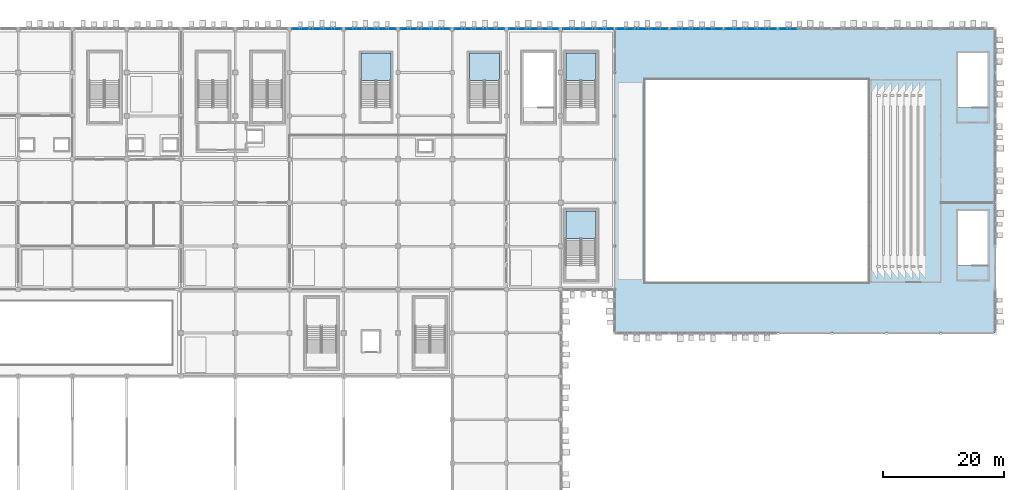
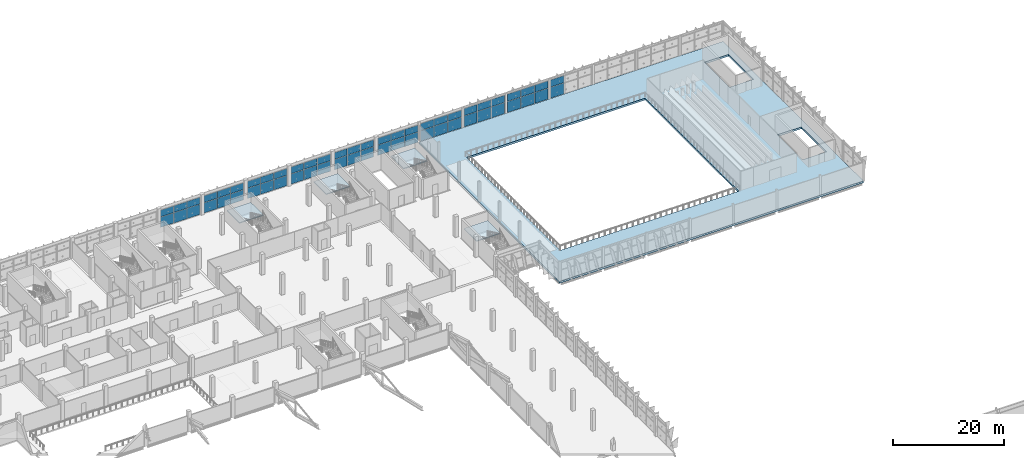
# One storey, part 92 of 151: 56 plates, 5 slabs, 14 elements without a shape of their own.
"""IFC4 building model written with IfcOpenShell, lengths in metres."""

from ifc_helpers import new_model, si_unit, direction, frame, origin, origin_2d, place, context, subcontext, project, spatial, polyline, rectangle, outline, extrude, material, layer, layer_set, type_object, element, aggregate, save


model = new_model("IFC4")

# Units and contexts
model_context = context("Model", 3, precision=1e-05, world=origin(), true_north=direction((0.0, 1.0)))
body_context = subcontext(model_context, "Body", "Model", "MODEL_VIEW")
ifc_project = project(units=[si_unit("LENGTHUNIT", "METRE"), si_unit("AREAUNIT", "SQUARE_METRE"), si_unit("VOLUMEUNIT", "CUBIC_METRE"), si_unit("PLANEANGLEUNIT", "RADIAN"), si_unit("MASSUNIT", "GRAM", prefix="KILO")], contexts=[model_context])

# Site, building, storey
site_placement = place(None, origin())
site = spatial("IfcSite", under=ifc_project, at=site_placement, CompositionType="ELEMENT")
building_placement = place(site_placement, origin())
building = spatial("IfcBuilding", under=site, at=building_placement, Name="Celestram Park Convention Centre", CompositionType="ELEMENT")
storey_placement = place(building_placement, frame((0.0, 0.0, 10.800048828125)))
storey = spatial("IfcBuildingStorey", under=building, at=storey_placement, Name="L02", CompositionType="ELEMENT", Elevation=10.800048828125)

# Curtain wall, plates
ifc_material_1 = material(Name="Anodised Aluminium Alloy 6063-T6", Category="aluminium")
ifc_layer_1 = layer(ifc_material_1, 0.179931640625)
ifc_layer_set_1 = layer_set([ifc_layer_1], Name="Anodised Aluminium Alloy 6063-T6")
curtain_wall_type_1 = type_object("IfcCurtainWallType", Name="ARC-CW-830X389", PredefinedType="NOTDEFINED", material=ifc_layer_set_1)
curtain_wall_1_placement = place(storey_placement, origin())
curtain_wall_1 = element("IfcCurtainWall", 1, at=curtain_wall_1_placement, inside=storey, type_object=curtain_wall_type_1, Name="Unitised curtain wall CU-L02-157", PredefinedType="NOTDEFINED")
ifc_material_2 = material(Name="Insulated Glazing Unit 38 mm", Category="glass")
ifc_layer_2 = layer(ifc_material_2, 0.0380859375)
ifc_layer_set_2 = layer_set([ifc_layer_2], Name="Insulated Glazing Unit 38 mm")
plate_type = type_object("IfcPlateType", Name="ARC-CWP-IGU38", PredefinedType="CURTAIN_PANEL", material=ifc_layer_set_2)
plate_1_placement = place(storey_placement, frame((100.750732421875, 165.60009765625, 0.06494140625), z_axis=(0.0, 0.0, 1.0), x_axis=(1.0, 0.0, 0.0)))
plate_1 = element("IfcPlate", 2, at=plate_1_placement, type_object=plate_type, Name="CW-83X38 panel 1.1", PredefinedType="CURTAIN_PANEL", context=body_context, shape_type="SweptSolid", body=[
    extrude(rectangle(XDim=2.655517578125, YDim=0.0380859375, at=origin_2d()), origin(), (0.0, 0.0, 1.0), 2.238525390625),
])
plate_2_placement = place(storey_placement, frame((100.750732421875, 165.60009765625, 2.368408203125), z_axis=(0.0, 0.0, 1.0), x_axis=(1.0, 0.0, 0.0)))
plate_2 = element("IfcPlate", 3, at=plate_2_placement, type_object=plate_type, Name="CW-83X38 panel 1.2", PredefinedType="CURTAIN_PANEL", context=body_context, shape_type="SweptSolid", body=[
    extrude(rectangle(XDim=2.655517578125, YDim=0.0380859375, at=origin_2d()), origin(), (0.0, 0.0, 1.0), 1.46044921875),
])
plate_3_placement = place(storey_placement, frame((103.5, 165.60009765625, 0.06494140625), z_axis=(0.0, 0.0, 1.0), x_axis=(1.0, 0.0, 0.0)))
plate_3 = element("IfcPlate", 4, at=plate_3_placement, type_object=plate_type, Name="CW-83X38 panel 2.1", PredefinedType="CURTAIN_PANEL", context=body_context, shape_type="SweptSolid", body=[
    extrude(rectangle(XDim=2.693115234375, YDim=0.0380859375, at=origin_2d()), origin(), (0.0, 0.0, 1.0), 2.238525390625),
])
plate_4_placement = place(storey_placement, frame((103.5, 165.60009765625, 2.368408203125), z_axis=(0.0, 0.0, 1.0), x_axis=(1.0, 0.0, 0.0)))
plate_4 = element("IfcPlate", 5, at=plate_4_placement, type_object=plate_type, Name="CW-83X38 panel 2.2", PredefinedType="CURTAIN_PANEL", context=body_context, shape_type="SweptSolid", body=[
    extrude(rectangle(XDim=2.693115234375, YDim=0.0380859375, at=origin_2d()), origin(), (0.0, 0.0, 1.0), 1.46044921875),
])
plate_5_placement = place(storey_placement, frame((106.249267578125, 165.60009765625, 0.06494140625), z_axis=(0.0, 0.0, 1.0), x_axis=(1.0, 0.0, 0.0)))
plate_5 = element("IfcPlate", 6, at=plate_5_placement, type_object=plate_type, Name="CW-83X38 panel 3.1", PredefinedType="CURTAIN_PANEL", context=body_context, shape_type="SweptSolid", body=[
    extrude(rectangle(XDim=2.655517578125, YDim=0.0380859375, at=origin_2d()), origin(), (0.0, 0.0, 1.0), 2.238525390625),
])
plate_6_placement = place(storey_placement, frame((106.249267578125, 165.60009765625, 2.368408203125), z_axis=(0.0, 0.0, 1.0), x_axis=(1.0, 0.0, 0.0)))
plate_6 = element("IfcPlate", 7, at=plate_6_placement, type_object=plate_type, Name="CW-83X38 panel 3.2", PredefinedType="CURTAIN_PANEL", context=body_context, shape_type="SweptSolid", body=[
    extrude(rectangle(XDim=2.655517578125, YDim=0.0380859375, at=origin_2d()), origin(), (0.0, 0.0, 1.0), 1.46044921875),
])
aggregate(curtain_wall_1, [plate_1, plate_2, plate_3, plate_4, plate_5, plate_6])

curtain_wall_2_placement = place(storey_placement, origin())
curtain_wall_2 = element("IfcCurtainWall", 8, at=curtain_wall_2_placement, inside=storey, type_object=curtain_wall_type_1, Name="Unitised curtain wall CU-L02-158", PredefinedType="NOTDEFINED")
plate_7_placement = place(storey_placement, frame((109.750732421875, 165.60009765625, 0.06494140625), z_axis=(0.0, 0.0, 1.0), x_axis=(1.0, 0.0, 0.0)))
plate_7 = element("IfcPlate", 9, at=plate_7_placement, type_object=plate_type, Name="CW-83X38 panel 1.1", PredefinedType="CURTAIN_PANEL", context=body_context, shape_type="SweptSolid", body=[
    extrude(rectangle(XDim=2.655517578125, YDim=0.0380859375, at=origin_2d()), origin(), (0.0, 0.0, 1.0), 2.238525390625),
])
plate_8_placement = place(storey_placement, frame((109.750732421875, 165.60009765625, 2.368408203125), z_axis=(0.0, 0.0, 1.0), x_axis=(1.0, 0.0, 0.0)))
plate_8 = element("IfcPlate", 10, at=plate_8_placement, type_object=plate_type, Name="CW-83X38 panel 1.2", PredefinedType="CURTAIN_PANEL", context=body_context, shape_type="SweptSolid", body=[
    extrude(rectangle(XDim=2.655517578125, YDim=0.0380859375, at=origin_2d()), origin(), (0.0, 0.0, 1.0), 1.46044921875),
])
plate_9_placement = place(storey_placement, frame((112.5, 165.60009765625, 0.06494140625), z_axis=(0.0, 0.0, 1.0), x_axis=(1.0, 0.0, 0.0)))
plate_9 = element("IfcPlate", 11, at=plate_9_placement, type_object=plate_type, Name="CW-83X38 panel 2.1", PredefinedType="CURTAIN_PANEL", context=body_context, shape_type="SweptSolid", body=[
    extrude(rectangle(XDim=2.693115234375, YDim=0.0380859375, at=origin_2d()), origin(), (0.0, 0.0, 1.0), 2.238525390625),
])
plate_10_placement = place(storey_placement, frame((112.5, 165.60009765625, 2.368408203125), z_axis=(0.0, 0.0, 1.0), x_axis=(1.0, 0.0, 0.0)))
plate_10 = element("IfcPlate", 12, at=plate_10_placement, type_object=plate_type, Name="CW-83X38 panel 2.2", PredefinedType="CURTAIN_PANEL", context=body_context, shape_type="SweptSolid", body=[
    extrude(rectangle(XDim=2.693115234375, YDim=0.0380859375, at=origin_2d()), origin(), (0.0, 0.0, 1.0), 1.46044921875),
])
plate_11_placement = place(storey_placement, frame((115.249267578125, 165.60009765625, 0.06494140625), z_axis=(0.0, 0.0, 1.0), x_axis=(1.0, 0.0, 0.0)))
plate_11 = element("IfcPlate", 13, at=plate_11_placement, type_object=plate_type, Name="CW-83X38 panel 3.1", PredefinedType="CURTAIN_PANEL", context=body_context, shape_type="SweptSolid", body=[
    extrude(rectangle(XDim=2.655517578125, YDim=0.0380859375, at=origin_2d()), origin(), (0.0, 0.0, 1.0), 2.238525390625),
])
plate_12_placement = place(storey_placement, frame((115.249267578125, 165.60009765625, 2.368408203125), z_axis=(0.0, 0.0, 1.0), x_axis=(1.0, 0.0, 0.0)))
plate_12 = element("IfcPlate", 14, at=plate_12_placement, type_object=plate_type, Name="CW-83X38 panel 3.2", PredefinedType="CURTAIN_PANEL", context=body_context, shape_type="SweptSolid", body=[
    extrude(rectangle(XDim=2.655517578125, YDim=0.0380859375, at=origin_2d()), origin(), (0.0, 0.0, 1.0), 1.46044921875),
])
aggregate(curtain_wall_2, [plate_7, plate_8, plate_9, plate_10, plate_11, plate_12])

curtain_wall_3_placement = place(storey_placement, origin())
curtain_wall_3 = element("IfcCurtainWall", 15, at=curtain_wall_3_placement, inside=storey, type_object=curtain_wall_type_1, Name="Unitised curtain wall CU-L02-159", PredefinedType="NOTDEFINED")
plate_13_placement = place(storey_placement, frame((118.750732421875, 165.60009765625, 0.06494140625), z_axis=(0.0, 0.0, 1.0), x_axis=(1.0, 0.0, 0.0)))
plate_13 = element("IfcPlate", 16, at=plate_13_placement, type_object=plate_type, Name="CW-83X38 panel 1.1", PredefinedType="CURTAIN_PANEL", context=body_context, shape_type="SweptSolid", body=[
    extrude(rectangle(XDim=2.655517578125, YDim=0.0380859375, at=origin_2d()), origin(), (0.0, 0.0, 1.0), 2.238525390625),
])
plate_14_placement = place(storey_placement, frame((118.750732421875, 165.60009765625, 2.368408203125), z_axis=(0.0, 0.0, 1.0), x_axis=(1.0, 0.0, 0.0)))
plate_14 = element("IfcPlate", 17, at=plate_14_placement, type_object=plate_type, Name="CW-83X38 panel 1.2", PredefinedType="CURTAIN_PANEL", context=body_context, shape_type="SweptSolid", body=[
    extrude(rectangle(XDim=2.655517578125, YDim=0.0380859375, at=origin_2d()), origin(), (0.0, 0.0, 1.0), 1.46044921875),
])
plate_15_placement = place(storey_placement, frame((121.5, 165.60009765625, 0.06494140625), z_axis=(0.0, 0.0, 1.0), x_axis=(1.0, 0.0, 0.0)))
plate_15 = element("IfcPlate", 18, at=plate_15_placement, type_object=plate_type, Name="CW-83X38 panel 2.1", PredefinedType="CURTAIN_PANEL", context=body_context, shape_type="SweptSolid", body=[
    extrude(rectangle(XDim=2.693115234375, YDim=0.0380859375, at=origin_2d()), origin(), (0.0, 0.0, 1.0), 2.238525390625),
])
plate_16_placement = place(storey_placement, frame((121.5, 165.60009765625, 2.368408203125), z_axis=(0.0, 0.0, 1.0), x_axis=(1.0, 0.0, 0.0)))
plate_16 = element("IfcPlate", 19, at=plate_16_placement, type_object=plate_type, Name="CW-83X38 panel 2.2", PredefinedType="CURTAIN_PANEL", context=body_context, shape_type="SweptSolid", body=[
    extrude(rectangle(XDim=2.693115234375, YDim=0.0380859375, at=origin_2d()), origin(), (0.0, 0.0, 1.0), 1.46044921875),
])
plate_17_placement = place(storey_placement, frame((124.249267578125, 165.60009765625, 0.06494140625), z_axis=(0.0, 0.0, 1.0), x_axis=(1.0, 0.0, 0.0)))
plate_17 = element("IfcPlate", 20, at=plate_17_placement, type_object=plate_type, Name="CW-83X38 panel 3.1", PredefinedType="CURTAIN_PANEL", context=body_context, shape_type="SweptSolid", body=[
    extrude(rectangle(XDim=2.655517578125, YDim=0.0380859375, at=origin_2d()), origin(), (0.0, 0.0, 1.0), 2.238525390625),
])
plate_18_placement = place(storey_placement, frame((124.249267578125, 165.60009765625, 2.368408203125), z_axis=(0.0, 0.0, 1.0), x_axis=(1.0, 0.0, 0.0)))
plate_18 = element("IfcPlate", 21, at=plate_18_placement, type_object=plate_type, Name="CW-83X38 panel 3.2", PredefinedType="CURTAIN_PANEL", context=body_context, shape_type="SweptSolid", body=[
    extrude(rectangle(XDim=2.655517578125, YDim=0.0380859375, at=origin_2d()), origin(), (0.0, 0.0, 1.0), 1.46044921875),
])
aggregate(curtain_wall_3, [plate_13, plate_14, plate_15, plate_16, plate_17, plate_18])

curtain_wall_4_placement = place(storey_placement, origin())
curtain_wall_4 = element("IfcCurtainWall", 22, at=curtain_wall_4_placement, inside=storey, type_object=curtain_wall_type_1, Name="Unitised curtain wall CU-L02-160", PredefinedType="NOTDEFINED")
plate_19_placement = place(storey_placement, frame((127.750732421875, 165.60009765625, 0.06494140625), z_axis=(0.0, 0.0, 1.0), x_axis=(1.0, 0.0, 0.0)))
plate_19 = element("IfcPlate", 23, at=plate_19_placement, type_object=plate_type, Name="CW-83X38 panel 1.1", PredefinedType="CURTAIN_PANEL", context=body_context, shape_type="SweptSolid", body=[
    extrude(rectangle(XDim=2.655517578125, YDim=0.0380859375, at=origin_2d()), origin(), (0.0, 0.0, 1.0), 2.238525390625),
])
plate_20_placement = place(storey_placement, frame((127.750732421875, 165.60009765625, 2.368408203125), z_axis=(0.0, 0.0, 1.0), x_axis=(1.0, 0.0, 0.0)))
plate_20 = element("IfcPlate", 24, at=plate_20_placement, type_object=plate_type, Name="CW-83X38 panel 1.2", PredefinedType="CURTAIN_PANEL", context=body_context, shape_type="SweptSolid", body=[
    extrude(rectangle(XDim=2.655517578125, YDim=0.0380859375, at=origin_2d()), origin(), (0.0, 0.0, 1.0), 1.46044921875),
])
plate_21_placement = place(storey_placement, frame((130.5, 165.60009765625, 0.06494140625), z_axis=(0.0, 0.0, 1.0), x_axis=(1.0, 0.0, 0.0)))
plate_21 = element("IfcPlate", 25, at=plate_21_placement, type_object=plate_type, Name="CW-83X38 panel 2.1", PredefinedType="CURTAIN_PANEL", context=body_context, shape_type="SweptSolid", body=[
    extrude(rectangle(XDim=2.693115234375, YDim=0.0380859375, at=origin_2d()), origin(), (0.0, 0.0, 1.0), 2.238525390625),
])
plate_22_placement = place(storey_placement, frame((130.5, 165.60009765625, 2.368408203125), z_axis=(0.0, 0.0, 1.0), x_axis=(1.0, 0.0, 0.0)))
plate_22 = element("IfcPlate", 26, at=plate_22_placement, type_object=plate_type, Name="CW-83X38 panel 2.2", PredefinedType="CURTAIN_PANEL", context=body_context, shape_type="SweptSolid", body=[
    extrude(rectangle(XDim=2.693115234375, YDim=0.0380859375, at=origin_2d()), origin(), (0.0, 0.0, 1.0), 1.46044921875),
])
plate_23_placement = place(storey_placement, frame((133.249267578125, 165.60009765625, 0.06494140625), z_axis=(0.0, 0.0, 1.0), x_axis=(1.0, 0.0, 0.0)))
plate_23 = element("IfcPlate", 27, at=plate_23_placement, type_object=plate_type, Name="CW-83X38 panel 3.1", PredefinedType="CURTAIN_PANEL", context=body_context, shape_type="SweptSolid", body=[
    extrude(rectangle(XDim=2.655517578125, YDim=0.0380859375, at=origin_2d()), origin(), (0.0, 0.0, 1.0), 2.238525390625),
])
plate_24_placement = place(storey_placement, frame((133.249267578125, 165.60009765625, 2.368408203125), z_axis=(0.0, 0.0, 1.0), x_axis=(1.0, 0.0, 0.0)))
plate_24 = element("IfcPlate", 28, at=plate_24_placement, type_object=plate_type, Name="CW-83X38 panel 3.2", PredefinedType="CURTAIN_PANEL", context=body_context, shape_type="SweptSolid", body=[
    extrude(rectangle(XDim=2.655517578125, YDim=0.0380859375, at=origin_2d()), origin(), (0.0, 0.0, 1.0), 1.46044921875),
])
aggregate(curtain_wall_4, [plate_19, plate_20, plate_21, plate_22, plate_23, plate_24])

curtain_wall_5_placement = place(storey_placement, origin())
curtain_wall_5 = element("IfcCurtainWall", 29, at=curtain_wall_5_placement, inside=storey, type_object=curtain_wall_type_1, Name="Unitised curtain wall CU-L02-161", PredefinedType="NOTDEFINED")
plate_25_placement = place(storey_placement, frame((136.750732421875, 165.60009765625, 0.06494140625), z_axis=(0.0, 0.0, 1.0), x_axis=(1.0, 0.0, 0.0)))
plate_25 = element("IfcPlate", 30, at=plate_25_placement, type_object=plate_type, Name="CW-83X38 panel 1.1", PredefinedType="CURTAIN_PANEL", context=body_context, shape_type="SweptSolid", body=[
    extrude(rectangle(XDim=2.655517578125, YDim=0.0380859375, at=origin_2d()), origin(), (0.0, 0.0, 1.0), 2.238525390625),
])
plate_26_placement = place(storey_placement, frame((136.750732421875, 165.60009765625, 2.368408203125), z_axis=(0.0, 0.0, 1.0), x_axis=(1.0, 0.0, 0.0)))
plate_26 = element("IfcPlate", 31, at=plate_26_placement, type_object=plate_type, Name="CW-83X38 panel 1.2", PredefinedType="CURTAIN_PANEL", context=body_context, shape_type="SweptSolid", body=[
    extrude(rectangle(XDim=2.655517578125, YDim=0.0380859375, at=origin_2d()), origin(), (0.0, 0.0, 1.0), 1.46044921875),
])
plate_27_placement = place(storey_placement, frame((139.5, 165.60009765625, 0.06494140625), z_axis=(0.0, 0.0, 1.0), x_axis=(1.0, 0.0, 0.0)))
plate_27 = element("IfcPlate", 32, at=plate_27_placement, type_object=plate_type, Name="CW-83X38 panel 2.1", PredefinedType="CURTAIN_PANEL", context=body_context, shape_type="SweptSolid", body=[
    extrude(rectangle(XDim=2.693115234375, YDim=0.0380859375, at=origin_2d()), origin(), (0.0, 0.0, 1.0), 2.238525390625),
])
plate_28_placement = place(storey_placement, frame((139.5, 165.60009765625, 2.368408203125), z_axis=(0.0, 0.0, 1.0), x_axis=(1.0, 0.0, 0.0)))
plate_28 = element("IfcPlate", 33, at=plate_28_placement, type_object=plate_type, Name="CW-83X38 panel 2.2", PredefinedType="CURTAIN_PANEL", context=body_context, shape_type="SweptSolid", body=[
    extrude(rectangle(XDim=2.693115234375, YDim=0.0380859375, at=origin_2d()), origin(), (0.0, 0.0, 1.0), 1.46044921875),
])
plate_29_placement = place(storey_placement, frame((142.249267578125, 165.60009765625, 0.06494140625), z_axis=(0.0, 0.0, 1.0), x_axis=(1.0, 0.0, 0.0)))
plate_29 = element("IfcPlate", 34, at=plate_29_placement, type_object=plate_type, Name="CW-83X38 panel 3.1", PredefinedType="CURTAIN_PANEL", context=body_context, shape_type="SweptSolid", body=[
    extrude(rectangle(XDim=2.655517578125, YDim=0.0380859375, at=origin_2d()), origin(), (0.0, 0.0, 1.0), 2.238525390625),
])
plate_30_placement = place(storey_placement, frame((142.249267578125, 165.60009765625, 2.368408203125), z_axis=(0.0, 0.0, 1.0), x_axis=(1.0, 0.0, 0.0)))
plate_30 = element("IfcPlate", 35, at=plate_30_placement, type_object=plate_type, Name="CW-83X38 panel 3.2", PredefinedType="CURTAIN_PANEL", context=body_context, shape_type="SweptSolid", body=[
    extrude(rectangle(XDim=2.655517578125, YDim=0.0380859375, at=origin_2d()), origin(), (0.0, 0.0, 1.0), 1.46044921875),
])
aggregate(curtain_wall_5, [plate_25, plate_26, plate_27, plate_28, plate_29, plate_30])

ifc_layer_3 = layer(ifc_material_1, 0.179931640625)
ifc_layer_set_3 = layer_set([ifc_layer_3], Name="Anodised Aluminium Alloy 6063-T6")
curtain_wall_type_2 = type_object("IfcCurtainWallType", Name="ARC-CW-845X389", PredefinedType="NOTDEFINED", material=ifc_layer_set_3)
curtain_wall_6_placement = place(storey_placement, origin())
curtain_wall_6 = element("IfcCurtainWall", 36, at=curtain_wall_6_placement, inside=storey, type_object=curtain_wall_type_2, Name="Unitised curtain wall CU-L02-162", PredefinedType="NOTDEFINED")
plate_31_placement = place(storey_placement, frame((145.775634765625, 165.60009765625, 0.06494140625), z_axis=(0.0, 0.0, 1.0), x_axis=(1.0, 0.0, 0.0)))
plate_31 = element("IfcPlate", 37, at=plate_31_placement, type_object=plate_type, Name="CW-84X38 panel 1.1", PredefinedType="CURTAIN_PANEL", context=body_context, shape_type="SweptSolid", body=[
    extrude(rectangle(XDim=2.70556640625, YDim=0.0380859375, at=origin_2d()), origin(), (0.0, 0.0, 1.0), 2.238525390625),
])
plate_32_placement = place(storey_placement, frame((145.775634765625, 165.60009765625, 2.368408203125), z_axis=(0.0, 0.0, 1.0), x_axis=(1.0, 0.0, 0.0)))
plate_32 = element("IfcPlate", 38, at=plate_32_placement, type_object=plate_type, Name="CW-84X38 panel 1.2", PredefinedType="CURTAIN_PANEL", context=body_context, shape_type="SweptSolid", body=[
    extrude(rectangle(XDim=2.70556640625, YDim=0.0380859375, at=origin_2d()), origin(), (0.0, 0.0, 1.0), 1.46044921875),
])
plate_33_placement = place(storey_placement, frame((148.574951171875, 165.60009765625, 0.06494140625), z_axis=(0.0, 0.0, 1.0), x_axis=(1.0, 0.0, 0.0)))
plate_33 = element("IfcPlate", 39, at=plate_33_placement, type_object=plate_type, Name="CW-84X38 panel 2.1", PredefinedType="CURTAIN_PANEL", context=body_context, shape_type="SweptSolid", body=[
    extrude(rectangle(XDim=2.742919921875, YDim=0.0380859375, at=origin_2d()), origin(), (0.0, 0.0, 1.0), 2.238525390625),
])
plate_34_placement = place(storey_placement, frame((148.574951171875, 165.60009765625, 2.368408203125), z_axis=(0.0, 0.0, 1.0), x_axis=(1.0, 0.0, 0.0)))
plate_34 = element("IfcPlate", 40, at=plate_34_placement, type_object=plate_type, Name="CW-84X38 panel 2.2", PredefinedType="CURTAIN_PANEL", context=body_context, shape_type="SweptSolid", body=[
    extrude(rectangle(XDim=2.742919921875, YDim=0.0380859375, at=origin_2d()), origin(), (0.0, 0.0, 1.0), 1.46044921875),
])
plate_35_placement = place(storey_placement, frame((151.374267578125, 165.60009765625, 0.06494140625), z_axis=(0.0, 0.0, 1.0), x_axis=(1.0, 0.0, 0.0)))
plate_35 = element("IfcPlate", 41, at=plate_35_placement, type_object=plate_type, Name="CW-84X38 panel 3.1", PredefinedType="CURTAIN_PANEL", context=body_context, shape_type="SweptSolid", body=[
    extrude(rectangle(XDim=2.70556640625, YDim=0.0380859375, at=origin_2d()), origin(), (0.0, 0.0, 1.0), 2.238525390625),
])
plate_36_placement = place(storey_placement, frame((151.374267578125, 165.60009765625, 2.368408203125), z_axis=(0.0, 0.0, 1.0), x_axis=(1.0, 0.0, 0.0)))
plate_36 = element("IfcPlate", 42, at=plate_36_placement, type_object=plate_type, Name="CW-84X38 panel 3.2", PredefinedType="CURTAIN_PANEL", context=body_context, shape_type="SweptSolid", body=[
    extrude(rectangle(XDim=2.70556640625, YDim=0.0380859375, at=origin_2d()), origin(), (0.0, 0.0, 1.0), 1.46044921875),
])
aggregate(curtain_wall_6, [plate_31, plate_32, plate_33, plate_34, plate_35, plate_36])

ifc_layer_4 = layer(ifc_material_1, 0.179931640625)
ifc_layer_set_4 = layer_set([ifc_layer_4], Name="Anodised Aluminium Alloy 6063-T6")
curtain_wall_type_3 = type_object("IfcCurtainWallType", Name="ARC-CW-860X400", PredefinedType="NOTDEFINED", material=ifc_layer_set_4)
curtain_wall_7_placement = place(storey_placement, origin())
curtain_wall_7 = element("IfcCurtainWall", 43, at=curtain_wall_7_placement, inside=storey, type_object=curtain_wall_type_3, Name="Unitised curtain wall CU-L02-163", PredefinedType="NOTDEFINED")
plate_37_placement = place(storey_placement, frame((154.650634765625, 165.60009765625, 0.06494140625), z_axis=(0.0, 0.0, 1.0), x_axis=(1.0, 0.0, 0.0)))
plate_37 = element("IfcPlate", 44, at=plate_37_placement, type_object=plate_type, Name="CW-86X40 panel 1.1", PredefinedType="CURTAIN_PANEL", context=body_context, shape_type="SweptSolid", body=[
    extrude(rectangle(XDim=2.755615234375, YDim=0.0380859375, at=origin_2d()), origin(), (0.0, 0.0, 1.0), 2.302490234375),
])
plate_38_placement = place(storey_placement, frame((154.650634765625, 165.60009765625, 2.432373046875), z_axis=(0.0, 0.0, 1.0), x_axis=(1.0, 0.0, 0.0)))
plate_38 = element("IfcPlate", 45, at=plate_38_placement, type_object=plate_type, Name="CW-86X40 panel 1.2", PredefinedType="CURTAIN_PANEL", context=body_context, shape_type="SweptSolid", body=[
    extrude(rectangle(XDim=2.755615234375, YDim=0.0380859375, at=origin_2d()), origin(), (0.0, 0.0, 1.0), 1.50244140625),
])
plate_39_placement = place(storey_placement, frame((157.5, 165.60009765625, 0.06494140625), z_axis=(0.0, 0.0, 1.0), x_axis=(1.0, 0.0, 0.0)))
plate_39 = element("IfcPlate", 46, at=plate_39_placement, type_object=plate_type, Name="CW-86X40 panel 2.1", PredefinedType="CURTAIN_PANEL", context=body_context, shape_type="SweptSolid", body=[
    extrude(rectangle(XDim=2.79296875, YDim=0.0380859375, at=origin_2d()), origin(), (0.0, 0.0, 1.0), 2.302490234375),
])
plate_40_placement = place(storey_placement, frame((157.5, 165.60009765625, 2.432373046875), z_axis=(0.0, 0.0, 1.0), x_axis=(1.0, 0.0, 0.0)))
plate_40 = element("IfcPlate", 47, at=plate_40_placement, type_object=plate_type, Name="CW-86X40 panel 2.2", PredefinedType="CURTAIN_PANEL", context=body_context, shape_type="SweptSolid", body=[
    extrude(rectangle(XDim=2.79296875, YDim=0.0380859375, at=origin_2d()), origin(), (0.0, 0.0, 1.0), 1.50244140625),
])
plate_41_placement = place(storey_placement, frame((160.349365234375, 165.60009765625, 0.06494140625), z_axis=(0.0, 0.0, 1.0), x_axis=(1.0, 0.0, 0.0)))
plate_41 = element("IfcPlate", 48, at=plate_41_placement, type_object=plate_type, Name="CW-86X40 panel 3.1", PredefinedType="CURTAIN_PANEL", context=body_context, shape_type="SweptSolid", body=[
    extrude(rectangle(XDim=2.755615234375, YDim=0.0380859375, at=origin_2d()), origin(), (0.0, 0.0, 1.0), 2.302490234375),
])
plate_42_placement = place(storey_placement, frame((160.349365234375, 165.60009765625, 2.432373046875), z_axis=(0.0, 0.0, 1.0), x_axis=(1.0, 0.0, 0.0)))
plate_42 = element("IfcPlate", 49, at=plate_42_placement, type_object=plate_type, Name="CW-86X40 panel 3.2", PredefinedType="CURTAIN_PANEL", context=body_context, shape_type="SweptSolid", body=[
    extrude(rectangle(XDim=2.755615234375, YDim=0.0380859375, at=origin_2d()), origin(), (0.0, 0.0, 1.0), 1.50244140625),
])
aggregate(curtain_wall_7, [plate_37, plate_38, plate_39, plate_40, plate_41, plate_42])

ifc_layer_5 = layer(ifc_material_1, 0.179931640625)
ifc_layer_set_5 = layer_set([ifc_layer_5], Name="Anodised Aluminium Alloy 6063-T6")
curtain_wall_type_4 = type_object("IfcCurtainWallType", Name="ARC-CW-860X414", PredefinedType="NOTDEFINED", material=ifc_layer_set_5)
curtain_wall_8_placement = place(storey_placement, origin())
curtain_wall_8 = element("IfcCurtainWall", 50, at=curtain_wall_8_placement, inside=storey, type_object=curtain_wall_type_4, Name="Unitised curtain wall CU-L02-164", PredefinedType="NOTDEFINED")
plate_43_placement = place(storey_placement, frame((163.650634765625, 165.60009765625, 0.06494140625), z_axis=(0.0, 0.0, 1.0), x_axis=(1.0, 0.0, 0.0)))
plate_43 = element("IfcPlate", 51, at=plate_43_placement, type_object=plate_type, Name="CW-86X41 panel 1.1", PredefinedType="CURTAIN_PANEL", context=body_context, shape_type="SweptSolid", body=[
    extrude(rectangle(XDim=2.755615234375, YDim=0.0380859375, at=origin_2d()), origin(), (0.0, 0.0, 1.0), 2.388427734375),
])
plate_44_placement = place(storey_placement, frame((163.650634765625, 165.60009765625, 2.518310546875), z_axis=(0.0, 0.0, 1.0), x_axis=(1.0, 0.0, 0.0)))
plate_44 = element("IfcPlate", 52, at=plate_44_placement, type_object=plate_type, Name="CW-86X41 panel 1.2", PredefinedType="CURTAIN_PANEL", context=body_context, shape_type="SweptSolid", body=[
    extrude(rectangle(XDim=2.755615234375, YDim=0.0380859375, at=origin_2d()), origin(), (0.0, 0.0, 1.0), 1.560546875),
])
plate_45_placement = place(storey_placement, frame((166.5, 165.60009765625, 0.06494140625), z_axis=(0.0, 0.0, 1.0), x_axis=(1.0, 0.0, 0.0)))
plate_45 = element("IfcPlate", 53, at=plate_45_placement, type_object=plate_type, Name="CW-86X41 panel 2.1", PredefinedType="CURTAIN_PANEL", context=body_context, shape_type="SweptSolid", body=[
    extrude(rectangle(XDim=2.79296875, YDim=0.0380859375, at=origin_2d()), origin(), (0.0, 0.0, 1.0), 2.388427734375),
])
plate_46_placement = place(storey_placement, frame((166.5, 165.60009765625, 2.518310546875), z_axis=(0.0, 0.0, 1.0), x_axis=(1.0, 0.0, 0.0)))
plate_46 = element("IfcPlate", 54, at=plate_46_placement, type_object=plate_type, Name="CW-86X41 panel 2.2", PredefinedType="CURTAIN_PANEL", context=body_context, shape_type="SweptSolid", body=[
    extrude(rectangle(XDim=2.79296875, YDim=0.0380859375, at=origin_2d()), origin(), (0.0, 0.0, 1.0), 1.560546875),
])
plate_47_placement = place(storey_placement, frame((169.349365234375, 165.60009765625, 0.06494140625), z_axis=(0.0, 0.0, 1.0), x_axis=(1.0, 0.0, 0.0)))
plate_47 = element("IfcPlate", 55, at=plate_47_placement, type_object=plate_type, Name="CW-86X41 panel 3.1", PredefinedType="CURTAIN_PANEL", context=body_context, shape_type="SweptSolid", body=[
    extrude(rectangle(XDim=2.755615234375, YDim=0.0380859375, at=origin_2d()), origin(), (0.0, 0.0, 1.0), 2.388427734375),
])
plate_48_placement = place(storey_placement, frame((169.349365234375, 165.60009765625, 2.518310546875), z_axis=(0.0, 0.0, 1.0), x_axis=(1.0, 0.0, 0.0)))
plate_48 = element("IfcPlate", 56, at=plate_48_placement, type_object=plate_type, Name="CW-86X41 panel 3.2", PredefinedType="CURTAIN_PANEL", context=body_context, shape_type="SweptSolid", body=[
    extrude(rectangle(XDim=2.755615234375, YDim=0.0380859375, at=origin_2d()), origin(), (0.0, 0.0, 1.0), 1.560546875),
])
aggregate(curtain_wall_8, [plate_43, plate_44, plate_45, plate_46, plate_47, plate_48])

curtain_wall_9_placement = place(storey_placement, origin())
curtain_wall_9 = element("IfcCurtainWall", 57, at=curtain_wall_9_placement, inside=storey, type_object=curtain_wall_type_4, Name="Unitised curtain wall CU-L02-165", PredefinedType="NOTDEFINED")
plate_49_placement = place(storey_placement, frame((172.650634765625, 165.60009765625, 0.06494140625), z_axis=(0.0, 0.0, 1.0), x_axis=(1.0, 0.0, 0.0)))
plate_49 = element("IfcPlate", 58, at=plate_49_placement, type_object=plate_type, Name="CW-86X41 panel 1.1", PredefinedType="CURTAIN_PANEL", context=body_context, shape_type="SweptSolid", body=[
    extrude(rectangle(XDim=2.755615234375, YDim=0.0380859375, at=origin_2d()), origin(), (0.0, 0.0, 1.0), 2.388427734375),
])
plate_50_placement = place(storey_placement, frame((172.650634765625, 165.60009765625, 2.518310546875), z_axis=(0.0, 0.0, 1.0), x_axis=(1.0, 0.0, 0.0)))
plate_50 = element("IfcPlate", 59, at=plate_50_placement, type_object=plate_type, Name="CW-86X41 panel 1.2", PredefinedType="CURTAIN_PANEL", context=body_context, shape_type="SweptSolid", body=[
    extrude(rectangle(XDim=2.755615234375, YDim=0.0380859375, at=origin_2d()), origin(), (0.0, 0.0, 1.0), 1.560546875),
])
plate_51_placement = place(storey_placement, frame((175.5, 165.60009765625, 0.06494140625), z_axis=(0.0, 0.0, 1.0), x_axis=(1.0, 0.0, 0.0)))
plate_51 = element("IfcPlate", 60, at=plate_51_placement, type_object=plate_type, Name="CW-86X41 panel 2.1", PredefinedType="CURTAIN_PANEL", context=body_context, shape_type="SweptSolid", body=[
    extrude(rectangle(XDim=2.79296875, YDim=0.0380859375, at=origin_2d()), origin(), (0.0, 0.0, 1.0), 2.388427734375),
])
plate_52_placement = place(storey_placement, frame((175.5, 165.60009765625, 2.518310546875), z_axis=(0.0, 0.0, 1.0), x_axis=(1.0, 0.0, 0.0)))
plate_52 = element("IfcPlate", 61, at=plate_52_placement, type_object=plate_type, Name="CW-86X41 panel 2.2", PredefinedType="CURTAIN_PANEL", context=body_context, shape_type="SweptSolid", body=[
    extrude(rectangle(XDim=2.79296875, YDim=0.0380859375, at=origin_2d()), origin(), (0.0, 0.0, 1.0), 1.560546875),
])
plate_53_placement = place(storey_placement, frame((178.349365234375, 165.60009765625, 0.06494140625), z_axis=(0.0, 0.0, 1.0), x_axis=(1.0, 0.0, 0.0)))
plate_53 = element("IfcPlate", 62, at=plate_53_placement, type_object=plate_type, Name="CW-86X41 panel 3.1", PredefinedType="CURTAIN_PANEL", context=body_context, shape_type="SweptSolid", body=[
    extrude(rectangle(XDim=2.755615234375, YDim=0.0380859375, at=origin_2d()), origin(), (0.0, 0.0, 1.0), 2.388427734375),
])
plate_54_placement = place(storey_placement, frame((178.349365234375, 165.60009765625, 2.518310546875), z_axis=(0.0, 0.0, 1.0), x_axis=(1.0, 0.0, 0.0)))
plate_54 = element("IfcPlate", 63, at=plate_54_placement, type_object=plate_type, Name="CW-86X41 panel 3.2", PredefinedType="CURTAIN_PANEL", context=body_context, shape_type="SweptSolid", body=[
    extrude(rectangle(XDim=2.755615234375, YDim=0.0380859375, at=origin_2d()), origin(), (0.0, 0.0, 1.0), 1.560546875),
])
aggregate(curtain_wall_9, [plate_49, plate_50, plate_51, plate_52, plate_53, plate_54])

curtain_wall_10_placement = place(storey_placement, origin())
curtain_wall_10 = element("IfcCurtainWall", 64, at=curtain_wall_10_placement, inside=storey, type_object=curtain_wall_type_4, Name="Unitised curtain wall CU-L02-166", PredefinedType="NOTDEFINED")
plate_55_placement = place(storey_placement, frame((181.650634765625, 165.60009765625, 0.06494140625), z_axis=(0.0, 0.0, 1.0), x_axis=(1.0, 0.0, 0.0)))
plate_55 = element("IfcPlate", 65, at=plate_55_placement, type_object=plate_type, Name="CW-86X41 panel 1.1", PredefinedType="CURTAIN_PANEL", context=body_context, shape_type="SweptSolid", body=[
    extrude(rectangle(XDim=2.755615234375, YDim=0.0380859375, at=origin_2d()), origin(), (0.0, 0.0, 1.0), 2.388427734375),
])
plate_56_placement = place(storey_placement, frame((181.650634765625, 165.60009765625, 2.518310546875), z_axis=(0.0, 0.0, 1.0), x_axis=(1.0, 0.0, 0.0)))
plate_56 = element("IfcPlate", 66, at=plate_56_placement, type_object=plate_type, Name="CW-86X41 panel 1.2", PredefinedType="CURTAIN_PANEL", context=body_context, shape_type="SweptSolid", body=[
    extrude(rectangle(XDim=2.755615234375, YDim=0.0380859375, at=origin_2d()), origin(), (0.0, 0.0, 1.0), 1.560546875),
])
aggregate(curtain_wall_10, [plate_55, plate_56])

# Stair, slab
ifc_material_3 = material(Name="Precast Concrete C40/50", Category="concrete")
stair_type = type_object("IfcStairType", Name="ARC-STR-DOG45", PredefinedType="HALF_TURN_STAIR", material=ifc_material_3)
stair_1_placement = place(storey_placement, origin())
stair_1 = element("IfcStair", 67, at=stair_1_placement, inside=storey, type_object=stair_type, Name="L02 Core C5 stair ST-05", PredefinedType="HALF_TURN_STAIR")
ifc_material_4 = material(Name="Concrete C35/45", Category="concrete")
ifc_layer_6 = layer(ifc_material_4, 0.199951171875)
ifc_layer_set_6 = layer_set([ifc_layer_6], Name="Concrete C35/45")
slab_type_1 = type_object("IfcSlabType", Name="STR-SLB-LND200", PredefinedType="LANDING", material=ifc_layer_set_6)
slab_1_placement = place(storey_placement, frame((0.0, 0.0, 2.050048828125)))
slab_1 = element("IfcSlab", 68, at=slab_1_placement, type_object=slab_type_1, Name="ST-05 landing 1", PredefinedType="LANDING", context=body_context, shape_type="SweptSolid", body=[
    extrude(outline(polyline([(133.800048828125, 157.073974609375), (133.800048828125, 161.60009765625), (128.840087890625, 161.60009765625), (128.840087890625, 157.073974609375), (133.800048828125, 157.073974609375)])), origin(), (0.0, 0.0, 1.0), 0.199951171875),
])
aggregate(stair_1, [slab_1])

stair_2_placement = place(storey_placement, origin())
stair_2 = element("IfcStair", 69, at=stair_2_placement, inside=storey, type_object=stair_type, Name="L02 Core S09 stair ST-09", PredefinedType="HALF_TURN_STAIR")
slab_2_placement = place(storey_placement, frame((0.0, 0.0, 2.050048828125)))
slab_2 = element("IfcSlab", 70, at=slab_2_placement, type_object=slab_type_1, Name="ST-09 landing 1", PredefinedType="LANDING", context=body_context, shape_type="SweptSolid", body=[
    extrude(outline(polyline([(149.800048828125, 157.073974609375), (149.800048828125, 161.60009765625), (144.840087890625, 161.60009765625), (144.840087890625, 157.073974609375), (149.800048828125, 157.073974609375)])), origin(), (0.0, 0.0, 1.0), 0.199951171875),
])
aggregate(stair_2, [slab_2])

stair_3_placement = place(storey_placement, origin())
stair_3 = element("IfcStair", 71, at=stair_3_placement, inside=storey, type_object=stair_type, Name="L02 Core S10 stair ST-10", PredefinedType="HALF_TURN_STAIR")
slab_3_placement = place(storey_placement, frame((0.0, 0.0, 2.050048828125)))
slab_3 = element("IfcSlab", 72, at=slab_3_placement, type_object=slab_type_1, Name="ST-10 landing 1", PredefinedType="LANDING", context=body_context, shape_type="SweptSolid", body=[
    extrude(outline(polyline([(149.800048828125, 130.8740234375), (149.800048828125, 135.39990234375), (144.840087890625, 135.39990234375), (144.840087890625, 130.8740234375), (149.800048828125, 130.8740234375)])), origin(), (0.0, 0.0, 1.0), 0.199951171875),
])
aggregate(stair_3, [slab_3])

stair_4_placement = place(storey_placement, origin())
stair_4 = element("IfcStair", 73, at=stair_4_placement, inside=storey, type_object=stair_type, Name="L02 Core S16 stair ST-16", PredefinedType="HALF_TURN_STAIR")
slab_4_placement = place(storey_placement, frame((0.0, 0.0, 2.050048828125)))
slab_4 = element("IfcSlab", 74, at=slab_4_placement, type_object=slab_type_1, Name="ST-16 landing 1", PredefinedType="LANDING", context=body_context, shape_type="SweptSolid", body=[
    extrude(outline(polyline([(115.800048828125, 157.073974609375), (115.800048828125, 161.60009765625), (110.840087890625, 161.60009765625), (110.840087890625, 157.073974609375), (115.800048828125, 157.073974609375)])), origin(), (0.0, 0.0, 1.0), 0.199951171875),
])
aggregate(stair_4, [slab_4])

# Slab
ifc_layer_7 = layer(ifc_material_4, 0.419921875)
ifc_layer_set_7 = layer_set([ifc_layer_7], Name="Concrete C35/45")
slab_type_2 = type_object("IfcSlabType", Name="STR-SLB-PLN420", PredefinedType="FLOOR", material=ifc_layer_set_7)
slab_5_placement = place(storey_placement, frame((0.0, 0.0, -0.420166015625)))
element("IfcSlab", 75, at=slab_5_placement, inside=storey, type_object=slab_type_2, Name="Floor slab L02-PLN", PredefinedType="FLOOR", context=body_context, shape_type="SweptSolid", body=[
    extrude(outline(polyline([(153.0, 115.199951171875), (153.0, 165.60009765625), (216.0, 165.60009765625), (216.0, 115.199951171875), (153.0, 115.199951171875)]), holes=[polyline([(214.800048828125, 126.406005859375), (214.800048828125, 135.39990234375), (209.840087890625, 135.39990234375), (209.840087890625, 126.406005859375), (214.800048828125, 126.406005859375)]), polyline([(195.0, 123.60009765625), (195.0, 157.199951171875), (158.0, 157.199951171875), (158.0, 123.60009765625), (195.0, 123.60009765625)]), polyline([(214.800048828125, 152.60595703125), (214.800048828125, 161.60009765625), (209.840087890625, 161.60009765625), (209.840087890625, 152.60595703125), (214.800048828125, 152.60595703125)])]), origin(), (0.0, 0.0, 1.0), 0.420166015625),
])

save(model, "model.ifc")
